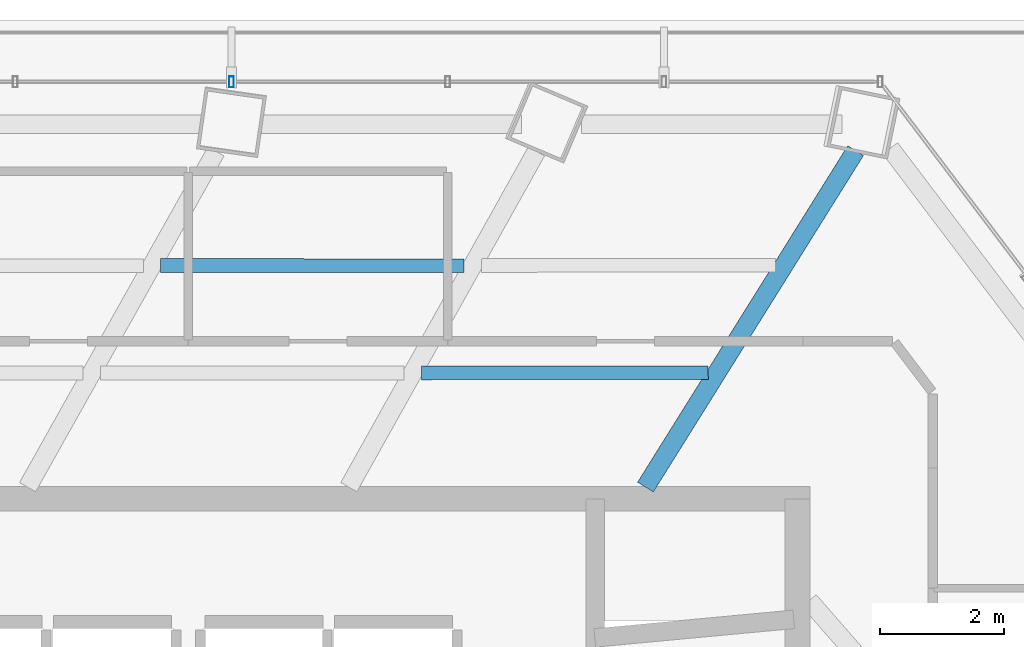
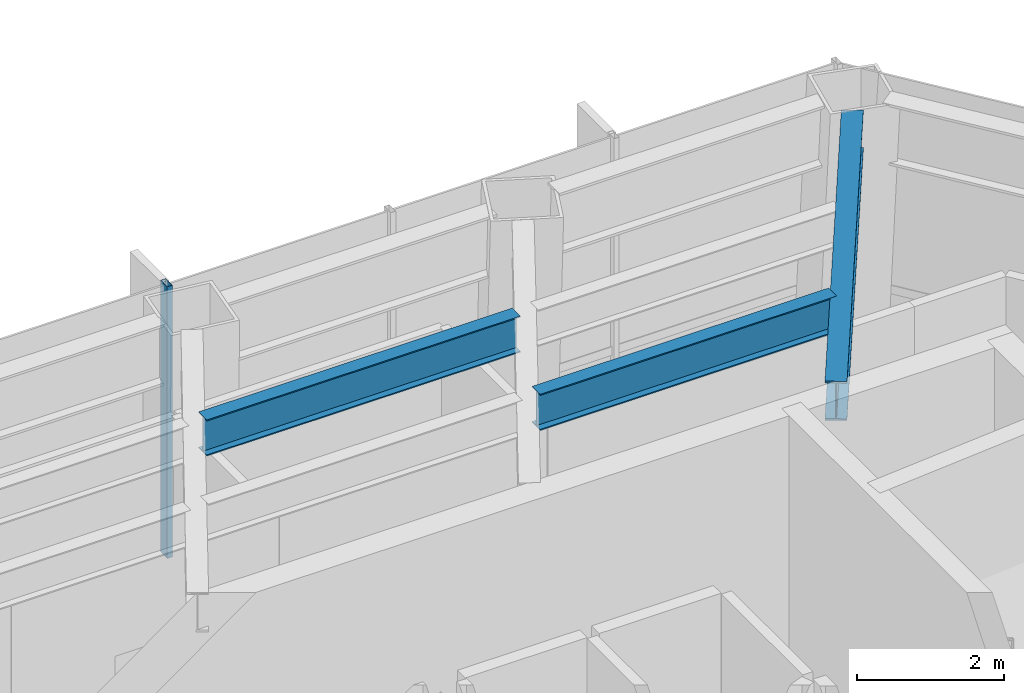
# One storey, part 15 of 30: 3 beams, 1 member, 1 element without a shape of its own.
"""IFC4 building model written with IfcOpenShell, lengths in metres."""

import ifcopenshell
import ifcopenshell.guid

model = None  # the IFC model being written
_history = None  # IfcOwnerHistory: only IFC2X3 demands one
_inside = {}  # id of a spatial element -> (the spatial element, [elements in it])
_under = {}  # id of a project, library or spatial element -> (it, [spatial elements below it])
_declared = {}  # id of a project -> (the project, [libraries it declares])
_typed = {}  # id of a type object -> (the type object, [elements of that type])
_made_of = {}  # id of a material, layer set ... -> (it, [elements and type objects made of it])


def new_model(schema):
    """Start an empty IFC model of exactly this schema.

    Asked for "IFC4X3", IfcOpenShell would pick the latest addendum, in which some entities
    have other attributes; the version numbers below select the first issue.
    IFC2X3 requires an IfcOwnerHistory on every rooted entity: one is made here for all.
    """
    global model, _history
    if schema == "IFC4X3":
        model = ifcopenshell.file(schema_version=(4, 3, 0, 0))
    else:
        model = ifcopenshell.file(schema=schema)
    _inside.clear()
    _under.clear()
    _declared.clear()
    _typed.clear()
    _made_of.clear()
    _history = None
    if model.schema == "IFC2X3":
        org = make("IfcOrganization", Name="unknown")
        user = make(
            "IfcPersonAndOrganization",
            ThePerson=make("IfcPerson", FamilyName="unknown"),
            TheOrganization=org,
        )
        app = make(
            "IfcApplication",
            ApplicationDeveloper=org,
            Version="unknown",
            ApplicationFullName="unknown",
            ApplicationIdentifier="unknown",
        )
        _history = make(
            "IfcOwnerHistory",
            OwningUser=user,
            OwningApplication=app,
            ChangeAction="ADDED",
            CreationDate=0,
        )
    return model


def make(cls, **values):
    """One entity of the class cls with the attributes given. An attribute that is None is left unset."""
    return model.create_entity(
        cls, **{name: value for name, value in values.items() if value is not None}
    )


def rooted(cls, **values):
    """An entity with a GlobalId (a new one), such as an element, a storey or a relation."""
    return make(cls, GlobalId=ifcopenshell.guid.new(), OwnerHistory=_history, **values)


def si_unit(unit_type, name, prefix=None):
    """IfcSIUnit, for example si_unit("LENGTHUNIT", "METRE", prefix="MILLI")."""
    return make("IfcSIUnit", UnitType=unit_type, Prefix=prefix, Name=name)


def assignment(units):
    """IfcUnitAssignment: the units of a project."""
    return None if units is None else make("IfcUnitAssignment", Units=units)


def point(xyz):
    """IfcCartesianPoint."""
    return None if xyz is None else make("IfcCartesianPoint", Coordinates=xyz)


def direction(xyz):
    """IfcDirection."""
    return None if xyz is None else make("IfcDirection", DirectionRatios=xyz)


def frame(location, z_axis=None, x_axis=None):
    """IfcAxis2Placement3D, a coordinate frame: its origin and axes. An axis left out is left unset."""
    return make(
        "IfcAxis2Placement3D",
        Location=point(location),
        Axis=direction(z_axis),
        RefDirection=direction(x_axis),
    )


def frame_2d(location, x_axis=None):
    """IfcAxis2Placement2D, a coordinate frame in the plane: its origin and x axis."""
    return make(
        "IfcAxis2Placement2D", Location=point(location), RefDirection=direction(x_axis)
    )


def origin():
    """The frame at (0, 0, 0) with its axes left unset."""
    return frame((0.0, 0.0, 0.0))


def origin_2d():
    """The frame at (0, 0) in the plane with its x axis left unset."""
    return frame_2d((0.0, 0.0))


def place(relative_to, where):
    """IfcLocalPlacement: puts the frame where relative to a parent placement (None: the world)."""
    return make(
        "IfcLocalPlacement", PlacementRelTo=relative_to, RelativePlacement=where
    )


def context(
    kind, dimensions, precision=None, world=None, true_north=None, identifier=None
):
    """IfcGeometricRepresentationContext, for example the 3D "Model" context."""
    return make(
        "IfcGeometricRepresentationContext",
        ContextIdentifier=identifier,
        ContextType=kind,
        CoordinateSpaceDimension=dimensions,
        Precision=precision,
        WorldCoordinateSystem=world,
        TrueNorth=true_north,
    )


def subcontext(parent, identifier, kind, view, scale=None):
    """IfcGeometricRepresentationSubContext, for example "Body" below "Model"."""
    return make(
        "IfcGeometricRepresentationSubContext",
        ContextIdentifier=identifier,
        ContextType=kind,
        ParentContext=parent,
        TargetScale=scale,
        TargetView=view,
    )


def project(units=None, contexts=None):
    """IfcProject with its units and contexts."""
    return rooted(
        "IfcProject",
        Name="project",
        RepresentationContexts=contexts,
        UnitsInContext=assignment(units),
    )


def spatial(cls, under=None, at=None, **own):
    """A site, building, storey or space (cls), placed at a placement, below another one or the project."""
    s = rooted(cls, ObjectPlacement=at, **own)
    if under is not None:
        _under.setdefault(under.id(), (under, []))[1].append(s)
    return s


def profile(cls, at=None, kind="AREA", **sizes):
    """A parametric profile (cls). Its sizes go by their IFC names, for example OverallWidth=200.0."""
    return make(cls, ProfileType=kind, Position=at, **sizes)


def hollow_rectangle(**sizes):
    """IfcRectangleHollowProfileDef."""
    return profile("IfcRectangleHollowProfileDef", **sizes)


def i_section(**sizes):
    """IfcIShapeProfileDef."""
    return profile("IfcIShapeProfileDef", **sizes)


def extrude(swept, where, along, depth):
    """IfcExtrudedAreaSolid: the profile swept, set in the frame where, extruded along a direction by depth."""
    return make(
        "IfcExtrudedAreaSolid",
        SweptArea=swept,
        Position=where,
        ExtrudedDirection=direction(along),
        Depth=depth,
    )


def shape(context_of_items, identifier, shape_type, items):
    """IfcShapeRepresentation: the items that make up one representation, for example the "Body"."""
    return make(
        "IfcShapeRepresentation",
        ContextOfItems=context_of_items,
        RepresentationIdentifier=identifier,
        RepresentationType=shape_type,
        Items=items,
    )


def material(Name=None, Category=None):
    """IfcMaterial."""
    return make("IfcMaterial", Name=Name, Category=Category)


def layer(
    of_material, thickness, ventilated=None, Name=None, Category=None, Priority=None
):
    """IfcMaterialLayer: one layer of a wall or slab, of a material (None: an air gap)."""
    return make(
        "IfcMaterialLayer",
        Material=of_material,
        LayerThickness=thickness,
        IsVentilated=ventilated,
        Name=Name,
        Category=Category,
        Priority=Priority,
    )


def layer_set(layers, Name=None):
    """IfcMaterialLayerSet."""
    return make("IfcMaterialLayerSet", MaterialLayers=layers, LayerSetName=Name)


def material_profile(
    of_material, cross_section, Name=None, Category=None, Priority=None
):
    """IfcMaterialProfile: a cross section and its material."""
    return make(
        "IfcMaterialProfile",
        Name=Name,
        Material=of_material,
        Profile=cross_section,
        Priority=Priority,
        Category=Category,
    )


def profile_set(profiles, Name=None, composite=None):
    """IfcMaterialProfileSet."""
    return make(
        "IfcMaterialProfileSet",
        Name=Name,
        MaterialProfiles=profiles,
        CompositeProfile=composite,
    )


def made_of(thing, what):
    """Note that an element or type object is made of a material, layer set ...; save() writes the relation."""
    if what is not None:
        _made_of.setdefault(what.id(), (what, []))[1].append(thing)
    return thing


def type_object(cls, material=None, **own):
    """A type object (cls), such as IfcWallType, which elements share."""
    return made_of(rooted(cls, **own), material)


def element(
    cls,
    number,
    at=None,
    inside=None,
    cuts=None,
    type_object=None,
    material=None,
    context=None,
    identifier="Body",
    shape_type=None,
    held_by="IfcProductDefinitionShape",
    body=None,
    shapes=None,
    **own,
):
    """One element of the class cls, such as IfcWall. Its Tag is "e" and its number.

    at: its placement. inside: the storey or other place that contains it. cuts: it is an
    opening in that element (IfcRelVoidsElement). A single representation is given by context,
    identifier, shape_type and body (its items); several are given by shapes. held_by: the class
    of the entity that holds the representations. save() writes the other relations.
    """
    e = rooted(cls, Tag="e%d" % number, ObjectPlacement=at, **own)
    if body is not None:
        shapes = [shape(context, identifier, shape_type, body)]
    if shapes is not None:
        e.Representation = make(held_by, Representations=shapes)
    if inside is not None:
        _inside.setdefault(inside.id(), (inside, []))[1].append(e)
    if cuts is not None:
        rooted(
            "IfcRelVoidsElement", RelatingBuildingElement=cuts, RelatedOpeningElement=e
        )
    if type_object is not None:
        _typed.setdefault(type_object.id(), (type_object, []))[1].append(e)
    return made_of(e, material)


def aggregate(whole, parts):
    """IfcRelAggregates: a whole, such as a stair, and the parts it consists of."""
    return rooted("IfcRelAggregates", RelatingObject=whole, RelatedObjects=parts)


def save(model, path):
    """Write the relations noted so far, then the file.

    IfcRelAggregates (storeys below a building ...), IfcRelContainedInSpatialStructure (elements
    in a storey), IfcRelDefinesByType, IfcRelAssociatesMaterial and IfcRelDeclares: one each for
    every whole, place, type object, material and project.
    """
    for whole, parts in _under.values():
        aggregate(whole, parts)
    for where, things in _inside.values():
        rooted(
            "IfcRelContainedInSpatialStructure",
            RelatedElements=things,
            RelatingStructure=where,
        )
    for kind, things in _typed.values():
        rooted("IfcRelDefinesByType", RelatedObjects=things, RelatingType=kind)
    for what, things in _made_of.values():
        rooted("IfcRelAssociatesMaterial", RelatedObjects=things, RelatingMaterial=what)
    for by, libraries in _declared.values():
        rooted("IfcRelDeclares", RelatingContext=by, RelatedDefinitions=libraries)
    model.write(path)


model = new_model("IFC4")

# Units and contexts
model_context = context("Model", 3, precision=1e-05, world=origin(), true_north=direction((0.0, 1.0)))
body_context = subcontext(model_context, "Body", "Model", "MODEL_VIEW")
ifc_project = project(units=[si_unit("LENGTHUNIT", "METRE"), si_unit("AREAUNIT", "SQUARE_METRE"), si_unit("VOLUMEUNIT", "CUBIC_METRE"), si_unit("PLANEANGLEUNIT", "RADIAN"), si_unit("MASSUNIT", "GRAM", prefix="KILO")], contexts=[model_context])

# Site, building, storey
site_placement = place(None, origin())
site = spatial("IfcSite", under=ifc_project, at=site_placement, CompositionType="ELEMENT")
building_placement = place(site_placement, origin())
building = spatial("IfcBuilding", under=site, at=building_placement, Name="Zarrinselat Tower", CompositionType="ELEMENT")
storey_placement = place(building_placement, frame((0.0, 0.0, 22.780029296875)))
storey = spatial("IfcBuildingStorey", under=building, at=storey_placement, Name="L05", CompositionType="ELEMENT", Elevation=22.780029296875)

# Beams
ifc_material_1 = material(Name="Steel S355J2", Category="steel")
ifc_material_profile_1 = material_profile(ifc_material_1, i_section(OverallWidth=0.300048828125, OverallDepth=0.64990234375, WebThickness=0.01611328125, FlangeThickness=0.031005859375, at=origin_2d()), Name="HEB 650")
ifc_profile_set_1 = profile_set([ifc_material_profile_1], Name="Steel S355J2")
beam_type_1 = type_object("IfcBeamType", Name="BM-HEB650", PredefinedType="BEAM", material=ifc_profile_set_1)
beam_1_placement = place(storey_placement, frame((45.800048828125, 43.639892578125, 4.175048828125), z_axis=(0.529670738207, 0.848203341827, 0.0), x_axis=(-0.848203341827, 0.529670738207, 0.0)))
element("IfcBeam", 1, at=beam_1_placement, inside=storey, type_object=beam_type_1, Name="L05 Radial Primary Girder RG01", PredefinedType="BEAM", context=body_context, shape_type="SweptSolid", body=[
    extrude(i_section(OverallWidth=0.300048828125, OverallDepth=0.64990234375, WebThickness=0.01611328125, FlangeThickness=0.031005859375, at=origin_2d()), origin(), (0.0, 0.0, 1.0), 6.419921875),
])
ifc_material_2 = material(Name="Steel S355J2", Category="steel")
ifc_material_profile_2 = material_profile(ifc_material_2, i_section(OverallWidth=0.219970703125, OverallDepth=0.60009765625, WebThickness=0.011962890625, FlangeThickness=0.01904296875, at=origin_2d()), Name="IPE 600")
ifc_profile_set_2 = profile_set([ifc_material_profile_2], Name="Steel S355J2")
beam_type_2 = type_object("IfcBeamType", Name="BM-IPE600", PredefinedType="JOIST", material=ifc_profile_set_2)
beam_2_placement = place(storey_placement, frame((42.172119140625, 45.4873046875, 4.199951171875), z_axis=(0.999999646249, 0.000841131024, 0.0), x_axis=(-0.000841131024, 0.999999646249, 0.0)))
element("IfcBeam", 2, at=beam_2_placement, inside=storey, type_object=beam_type_2, Name="L05 Composite Floor Joist 8-2", PredefinedType="JOIST", context=body_context, shape_type="SweptSolid", body=[
    extrude(i_section(OverallWidth=0.219970703125, OverallDepth=0.60009765625, WebThickness=0.011962890625, FlangeThickness=0.01904296875, at=origin_2d()), origin(), (0.0, 0.0, 1.0), 4.64404296875),
])
beam_3_placement = place(storey_placement, frame((37.9521484375, 47.22607421875, 4.199951171875), z_axis=(0.999999995057, -9.9423344e-05, 0.0), x_axis=(9.9423344e-05, 0.999999995057, 0.0)))
element("IfcBeam", 3, at=beam_3_placement, inside=storey, type_object=beam_type_2, Name="L05 Composite Floor Joist 9-1", PredefinedType="JOIST", context=body_context, shape_type="SweptSolid", body=[
    extrude(i_section(OverallWidth=0.219970703125, OverallDepth=0.60009765625, WebThickness=0.011962890625, FlangeThickness=0.01904296875, at=origin_2d()), origin(), (0.0, 0.0, 1.0), 4.9111328125),
])

# Curtain wall, member
ifc_material_3 = material(Name="Extruded Aluminium Alloy EN AW-6063 T6", Category="aluminium")
ifc_layer = layer(ifc_material_3, 0.195068359375)
ifc_layer_set = layer_set([ifc_layer], Name="Extruded Aluminium Alloy EN AW-6063 T6")
curtain_wall_type = type_object("IfcCurtainWallType", Name="CWS-GDN", PredefinedType="NOTDEFINED", material=ifc_layer_set)
curtain_wall_placement = place(storey_placement, origin())
curtain_wall = element("IfcCurtainWall", 4, at=curtain_wall_placement, inside=storey, type_object=curtain_wall_type, Name="L05 Unitised Curtain Wall CW-L05-E01", PredefinedType="NOTDEFINED")
ifc_material_4 = material(Name="Extruded Aluminium Alloy EN AW-6063 T6", Category="aluminium")
ifc_material_profile_3 = material_profile(ifc_material_4, hollow_rectangle(XDim=0.080078125, YDim=0.179931640625, WallThickness=0.0048828125, at=origin_2d()), Name="RHS 180x80x5")
ifc_profile_set_3 = profile_set([ifc_material_profile_3], Name="Extruded Aluminium Alloy EN AW-6063 T6")
member_type = type_object("IfcMemberType", Name="MEM-CW-MUL", PredefinedType="MULLION", material=ifc_profile_set_3)
member_placement = place(storey_placement, frame((39.10009765625, 50.199951171875, 0.0), z_axis=(0.0, 0.0, 1.0), x_axis=(-1.0, 0.0, 0.0)))
member = element("IfcMember", 5, at=member_placement, type_object=member_type, Name="CW-L05-E01 Mullion 3", PredefinedType="MULLION", context=body_context, shape_type="SweptSolid", body=[
    extrude(hollow_rectangle(XDim=0.080078125, YDim=0.179931640625, WallThickness=0.0048828125, at=origin_2d()), origin(), (0.0, 0.0, 1.0), 4.5),
])
aggregate(curtain_wall, [member])

save(model, "model.ifc")
